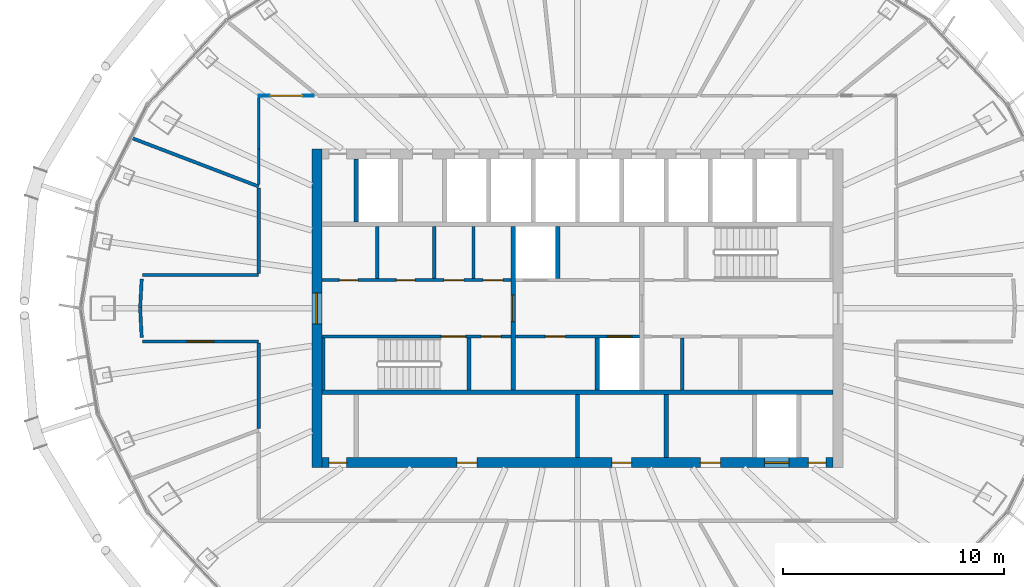
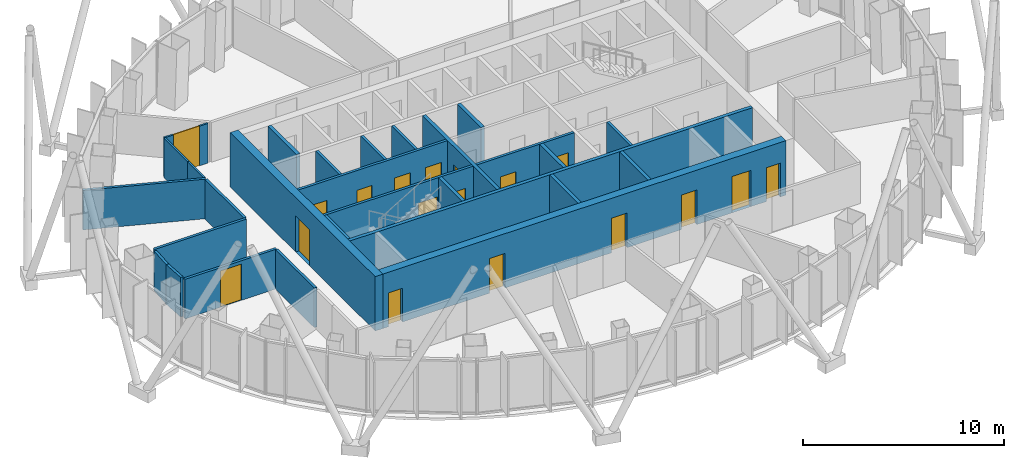
# One storey, part 9 of 18: 28 walls, 18 doors, 18 openings.
"""IFC4 building model written with IfcOpenShell, lengths in metres."""

import ifcopenshell
import ifcopenshell.guid

model = None  # the IFC model being written
_history = None  # IfcOwnerHistory: only IFC2X3 demands one
_inside = {}  # id of a spatial element -> (the spatial element, [elements in it])
_under = {}  # id of a project, library or spatial element -> (it, [spatial elements below it])
_declared = {}  # id of a project -> (the project, [libraries it declares])
_typed = {}  # id of a type object -> (the type object, [elements of that type])
_made_of = {}  # id of a material, layer set ... -> (it, [elements and type objects made of it])


def new_model(schema):
    """Start an empty IFC model of exactly this schema.

    Asked for "IFC4X3", IfcOpenShell would pick the latest addendum, in which some entities
    have other attributes; the version numbers below select the first issue.
    IFC2X3 requires an IfcOwnerHistory on every rooted entity: one is made here for all.
    """
    global model, _history
    if schema == "IFC4X3":
        model = ifcopenshell.file(schema_version=(4, 3, 0, 0))
    else:
        model = ifcopenshell.file(schema=schema)
    _inside.clear()
    _under.clear()
    _declared.clear()
    _typed.clear()
    _made_of.clear()
    _history = None
    if model.schema == "IFC2X3":
        org = make("IfcOrganization", Name="unknown")
        user = make(
            "IfcPersonAndOrganization",
            ThePerson=make("IfcPerson", FamilyName="unknown"),
            TheOrganization=org,
        )
        app = make(
            "IfcApplication",
            ApplicationDeveloper=org,
            Version="unknown",
            ApplicationFullName="unknown",
            ApplicationIdentifier="unknown",
        )
        _history = make(
            "IfcOwnerHistory",
            OwningUser=user,
            OwningApplication=app,
            ChangeAction="ADDED",
            CreationDate=0,
        )
    return model


def make(cls, **values):
    """One entity of the class cls with the attributes given. An attribute that is None is left unset."""
    return model.create_entity(
        cls, **{name: value for name, value in values.items() if value is not None}
    )


def rooted(cls, **values):
    """An entity with a GlobalId (a new one), such as an element, a storey or a relation."""
    return make(cls, GlobalId=ifcopenshell.guid.new(), OwnerHistory=_history, **values)


def si_unit(unit_type, name, prefix=None):
    """IfcSIUnit, for example si_unit("LENGTHUNIT", "METRE", prefix="MILLI")."""
    return make("IfcSIUnit", UnitType=unit_type, Prefix=prefix, Name=name)


def assignment(units):
    """IfcUnitAssignment: the units of a project."""
    return None if units is None else make("IfcUnitAssignment", Units=units)


def point(xyz):
    """IfcCartesianPoint."""
    return None if xyz is None else make("IfcCartesianPoint", Coordinates=xyz)


def direction(xyz):
    """IfcDirection."""
    return None if xyz is None else make("IfcDirection", DirectionRatios=xyz)


def frame(location, z_axis=None, x_axis=None):
    """IfcAxis2Placement3D, a coordinate frame: its origin and axes. An axis left out is left unset."""
    return make(
        "IfcAxis2Placement3D",
        Location=point(location),
        Axis=direction(z_axis),
        RefDirection=direction(x_axis),
    )


def frame_2d(location, x_axis=None):
    """IfcAxis2Placement2D, a coordinate frame in the plane: its origin and x axis."""
    return make(
        "IfcAxis2Placement2D", Location=point(location), RefDirection=direction(x_axis)
    )


def origin():
    """The frame at (0, 0, 0) with its axes left unset."""
    return frame((0.0, 0.0, 0.0))


def place(relative_to, where):
    """IfcLocalPlacement: puts the frame where relative to a parent placement (None: the world)."""
    return make(
        "IfcLocalPlacement", PlacementRelTo=relative_to, RelativePlacement=where
    )


def context(
    kind, dimensions, precision=None, world=None, true_north=None, identifier=None
):
    """IfcGeometricRepresentationContext, for example the 3D "Model" context."""
    return make(
        "IfcGeometricRepresentationContext",
        ContextIdentifier=identifier,
        ContextType=kind,
        CoordinateSpaceDimension=dimensions,
        Precision=precision,
        WorldCoordinateSystem=world,
        TrueNorth=true_north,
    )


def subcontext(parent, identifier, kind, view, scale=None):
    """IfcGeometricRepresentationSubContext, for example "Body" below "Model"."""
    return make(
        "IfcGeometricRepresentationSubContext",
        ContextIdentifier=identifier,
        ContextType=kind,
        ParentContext=parent,
        TargetScale=scale,
        TargetView=view,
    )


def project(units=None, contexts=None):
    """IfcProject with its units and contexts."""
    return rooted(
        "IfcProject",
        Name="project",
        RepresentationContexts=contexts,
        UnitsInContext=assignment(units),
    )


def spatial(cls, under=None, at=None, **own):
    """A site, building, storey or space (cls), placed at a placement, below another one or the project."""
    s = rooted(cls, ObjectPlacement=at, **own)
    if under is not None:
        _under.setdefault(under.id(), (under, []))[1].append(s)
    return s


def profile(cls, at=None, kind="AREA", **sizes):
    """A parametric profile (cls). Its sizes go by their IFC names, for example OverallWidth=200.0."""
    return make(cls, ProfileType=kind, Position=at, **sizes)


def rectangle(**sizes):
    """IfcRectangleProfileDef."""
    return profile("IfcRectangleProfileDef", **sizes)


def extrude(swept, where, along, depth):
    """IfcExtrudedAreaSolid: the profile swept, set in the frame where, extruded along a direction by depth."""
    return make(
        "IfcExtrudedAreaSolid",
        SweptArea=swept,
        Position=where,
        ExtrudedDirection=direction(along),
        Depth=depth,
    )


def shape(context_of_items, identifier, shape_type, items):
    """IfcShapeRepresentation: the items that make up one representation, for example the "Body"."""
    return make(
        "IfcShapeRepresentation",
        ContextOfItems=context_of_items,
        RepresentationIdentifier=identifier,
        RepresentationType=shape_type,
        Items=items,
    )


def material(Name=None, Category=None):
    """IfcMaterial."""
    return make("IfcMaterial", Name=Name, Category=Category)


def layer(
    of_material, thickness, ventilated=None, Name=None, Category=None, Priority=None
):
    """IfcMaterialLayer: one layer of a wall or slab, of a material (None: an air gap)."""
    return make(
        "IfcMaterialLayer",
        Material=of_material,
        LayerThickness=thickness,
        IsVentilated=ventilated,
        Name=Name,
        Category=Category,
        Priority=Priority,
    )


def layer_set(layers, Name=None):
    """IfcMaterialLayerSet."""
    return make("IfcMaterialLayerSet", MaterialLayers=layers, LayerSetName=Name)


def made_of(thing, what):
    """Note that an element or type object is made of a material, layer set ...; save() writes the relation."""
    if what is not None:
        _made_of.setdefault(what.id(), (what, []))[1].append(thing)
    return thing


def type_object(cls, material=None, **own):
    """A type object (cls), such as IfcWallType, which elements share."""
    return made_of(rooted(cls, **own), material)


def element(
    cls,
    number,
    at=None,
    inside=None,
    cuts=None,
    type_object=None,
    material=None,
    context=None,
    identifier="Body",
    shape_type=None,
    held_by="IfcProductDefinitionShape",
    body=None,
    shapes=None,
    **own,
):
    """One element of the class cls, such as IfcWall. Its Tag is "e" and its number.

    at: its placement. inside: the storey or other place that contains it. cuts: it is an
    opening in that element (IfcRelVoidsElement). A single representation is given by context,
    identifier, shape_type and body (its items); several are given by shapes. held_by: the class
    of the entity that holds the representations. save() writes the other relations.
    """
    e = rooted(cls, Tag="e%d" % number, ObjectPlacement=at, **own)
    if body is not None:
        shapes = [shape(context, identifier, shape_type, body)]
    if shapes is not None:
        e.Representation = make(held_by, Representations=shapes)
    if inside is not None:
        _inside.setdefault(inside.id(), (inside, []))[1].append(e)
    if cuts is not None:
        rooted(
            "IfcRelVoidsElement", RelatingBuildingElement=cuts, RelatedOpeningElement=e
        )
    if type_object is not None:
        _typed.setdefault(type_object.id(), (type_object, []))[1].append(e)
    return made_of(e, material)


def fill(opening, filler):
    """IfcRelFillsElement: the door or window that sits in an opening."""
    return rooted(
        "IfcRelFillsElement",
        RelatingOpeningElement=opening,
        RelatedBuildingElement=filler,
    )


def aggregate(whole, parts):
    """IfcRelAggregates: a whole, such as a stair, and the parts it consists of."""
    return rooted("IfcRelAggregates", RelatingObject=whole, RelatedObjects=parts)


def save(model, path):
    """Write the relations noted so far, then the file.

    IfcRelAggregates (storeys below a building ...), IfcRelContainedInSpatialStructure (elements
    in a storey), IfcRelDefinesByType, IfcRelAssociatesMaterial and IfcRelDeclares: one each for
    every whole, place, type object, material and project.
    """
    for whole, parts in _under.values():
        aggregate(whole, parts)
    for where, things in _inside.values():
        rooted(
            "IfcRelContainedInSpatialStructure",
            RelatedElements=things,
            RelatingStructure=where,
        )
    for kind, things in _typed.values():
        rooted("IfcRelDefinesByType", RelatedObjects=things, RelatingType=kind)
    for what, things in _made_of.values():
        rooted("IfcRelAssociatesMaterial", RelatedObjects=things, RelatingMaterial=what)
    for by, libraries in _declared.values():
        rooted("IfcRelDeclares", RelatingContext=by, RelatedDefinitions=libraries)
    model.write(path)


model = new_model("IFC4")

# Units and contexts
model_context = context("Model", 3, precision=1e-05, world=origin(), true_north=direction((0.0, 1.0)))
body_context = subcontext(model_context, "Body", "Model", "MODEL_VIEW")
ifc_project = project(units=[si_unit("LENGTHUNIT", "METRE"), si_unit("AREAUNIT", "SQUARE_METRE"), si_unit("VOLUMEUNIT", "CUBIC_METRE"), si_unit("PLANEANGLEUNIT", "RADIAN"), si_unit("MASSUNIT", "GRAM", prefix="KILO")], contexts=[model_context])

# Site, building, storey
site_placement = place(None, origin())
site = spatial("IfcSite", under=ifc_project, at=site_placement, CompositionType="ELEMENT")
building_placement = place(site_placement, origin())
building = spatial("IfcBuilding", under=site, at=building_placement, Name="Siaravel Broadcast Tower", CompositionType="ELEMENT")
storey_placement = place(building_placement, frame((0.0, 0.0, 201.5)))
storey = spatial("IfcBuildingStorey", under=building, at=storey_placement, Name="L49", CompositionType="ELEMENT", Elevation=201.5)

# Walls
ifc_material_1 = material(Name="Concrete blockwork", Category="masonry")
ifc_layer_1 = layer(ifc_material_1, 0.14990234375)
ifc_layer_set_1 = layer_set([ifc_layer_1], Name="Concrete blockwork")
wall_type_1 = type_object("IfcWallType", Name="Core partition 150", PredefinedType="PARTITIONING", material=ifc_layer_set_1)
for number, where, z_axis, x_axis, name in (
    (1, (-9.044921875, 1.35009765625, 0.0), (0.0, 0.0, 1.0), (0.0, 1.0, 0.0), "L49 core partition PNW0"),
    (2, (-6.465087890625, 1.35009765625, 0.0), (0.0, 0.0, 1.0), (0.0, 1.0, 0.0), "L49 core partition PNW1"),
    (3, (-4.695068359375, 1.35009765625, 0.0), (0.0, 0.0, 1.0), (0.0, 1.0, 0.0), "L49 core partition PNW2"),
    (4, (4.72509765625, -3.699951171875, 0.0), (0.0, 0.0, 1.0), (0.0, 1.0, 0.0), "L49 core partition PSE0"),
):
    element("IfcWall", number, at=place(storey_placement, frame(where, z_axis=z_axis, x_axis=x_axis)), inside=storey, type_object=wall_type_1, Name=name, PredefinedType="PARTITIONING", context=body_context, shape_type="SweptSolid", body=[
        extrude(rectangle(XDim=2.349853515625, YDim=0.14990234375, at=frame_2d((1.1748046875, 0.0))), origin(), (0.0, 0.0, 1.0), 3.300048828125),
    ])
ifc_layer_2 = layer(ifc_material_1, 0.199951171875)
ifc_layer_set_2 = layer_set([ifc_layer_2], Name="Concrete blockwork")
wall_type_2 = type_object("IfcWallType", Name="Core partition 200", PredefinedType="PARTITIONING", material=ifc_layer_set_2)
for number, where, z_axis, x_axis, name in (
    (5, (0.0, -6.75, 0.0), (0.0, 0.0, 1.0), (0.0, 1.0, 0.0), "L49 core partition PFS0"),
    (6, (4.0, -6.75, 0.0), (0.0, 0.0, 1.0), (0.0, 1.0, 0.0), "L49 core partition PFS5"),
):
    element("IfcWall", number, at=place(storey_placement, frame(where, z_axis=z_axis, x_axis=x_axis)), inside=storey, type_object=wall_type_2, Name=name, PredefinedType="PARTITIONING", context=body_context, shape_type="SweptSolid", body=[
        extrude(rectangle(XDim=2.85009765625, YDim=0.199951171875, at=frame_2d((1.425048828125, 0.0))), origin(), (0.0, 0.0, 1.0), 3.300048828125),
    ])

# Wall, opening, door
ifc_material_2 = material(Name="Concrete C60/75", Category="concrete")
ifc_layer_3 = layer(ifc_material_2, 0.449951171875)
ifc_layer_set_3 = layer_set([ifc_layer_3], Name="Concrete C60/75")
wall_type_3 = type_object("IfcWallType", Name="Core wall 450", PredefinedType="SHEAR", material=ifc_layer_set_3)
wall_1_placement = place(storey_placement, frame((-11.77490234375, -7.199951171875, 0.0), z_axis=(0.0, 0.0, 1.0), x_axis=(0.0, 1.0, 0.0)))
wall_1 = element("IfcWall", 7, at=wall_1_placement, inside=storey, type_object=wall_type_3, Name="L49 core wall OW", PredefinedType="SHEAR", context=body_context, shape_type="SweptSolid", body=[
    extrude(rectangle(XDim=14.39990234375, YDim=0.449951171875, at=frame_2d((7.199951171875, 0.0))), origin(), (0.0, 0.0, 1.0), 3.300048828125),
])
opening_1_placement = place(wall_1_placement, frame((6.5, 0.0, 0.0)))
opening_1 = element("IfcOpeningElement", 8, at=opening_1_placement, cuts=wall_1, Name="Opening L49-DX-W", PredefinedType="OPENING", context=body_context, shape_type="SweptSolid", body=[
    extrude(rectangle(XDim=1.39990234375, YDim=2.199951171875, at=frame_2d((0.699951171875, 1.10009765625))), frame((0.0, 0.23486328125, 0.0), z_axis=(0.0, -1.0, 0.0), x_axis=(1.0, 0.0, 0.0)), (0.0, 0.0, 1.0), 0.469970703125),
])
ifc_material_3 = material(Name="Steel", Category="steel")
door_type_1 = type_object("IfcDoorType", Name="Core exit door 1400", OperationType="DOUBLE_DOOR_SINGLE_SWING", PredefinedType="DOOR", material=ifc_material_3)
door_1_placement = place(opening_1_placement, origin())
door_1 = element("IfcDoor", 9, at=door_1_placement, inside=storey, type_object=door_type_1, Name="L49 door DX-W", OperationType="DOUBLE_DOOR_SINGLE_SWING", OverallHeight=2.199951171875, OverallWidth=1.39990234375, PredefinedType="DOOR", context=body_context, shape_type="SweptSolid", body=[
    extrude(rectangle(XDim=1.39990234375, YDim=2.199951171875, at=frame_2d((0.699951171875, 1.10009765625))), frame((0.0, 0.02490234375, 0.0), z_axis=(0.0, -1.0, 0.0), x_axis=(1.0, 0.0, 0.0)), (0.0, 0.0, 1.0), 0.050048828125),
])
fill(opening_1, door_1)

# Wall, openings, doors
wall_2_placement = place(storey_placement, frame((-11.550048828125, -6.97509765625, 0.0), z_axis=(0.0, 0.0, 1.0), x_axis=(1.0, 0.0, 0.0)))
wall_2 = element("IfcWall", 10, at=wall_2_placement, inside=storey, type_object=wall_type_3, Name="L49 core wall OS", PredefinedType="SHEAR", context=body_context, shape_type="SweptSolid", body=[
    extrude(rectangle(XDim=23.10009765625, YDim=0.449951171875, at=frame_2d((11.550048828125, 0.0))), origin(), (0.0, 0.0, 1.0), 3.300048828125),
])
opening_2_placement = place(wall_2_placement, frame((20.0, 0.0, 0.0)))
opening_2 = element("IfcOpeningElement", 11, at=opening_2_placement, cuts=wall_2, Name="Opening LD-SV1-L49", PredefinedType="OPENING", context=body_context, shape_type="SweptSolid", body=[
    extrude(rectangle(XDim=1.10009765625, YDim=2.199951171875, at=frame_2d((0.550048828125, 1.10009765625))), frame((0.0, 0.23486328125, 0.0), z_axis=(0.0, -1.0, 0.0), x_axis=(1.0, 0.0, 0.0)), (0.0, 0.0, 1.0), 0.469970703125),
])
opening_3_placement = place(wall_2_placement, frame((6.10009765625, 0.0, 0.0)))
opening_3 = element("IfcOpeningElement", 12, at=opening_3_placement, cuts=wall_2, Name="Opening L49-DFS0", PredefinedType="OPENING", context=body_context, shape_type="SweptSolid", body=[
    extrude(rectangle(XDim=0.89990234375, YDim=2.10009765625, at=frame_2d((0.449951171875, 1.050048828125))), frame((0.0, 0.23486328125, 0.0), z_axis=(0.0, -1.0, 0.0), x_axis=(1.0, 0.0, 0.0)), (0.0, 0.0, 1.0), 0.469970703125),
])
opening_4_placement = place(wall_2_placement, frame((13.10009765625, 0.0, 0.0)))
opening_4 = element("IfcOpeningElement", 13, at=opening_4_placement, cuts=wall_2, Name="Opening L49-DFS5", PredefinedType="OPENING", context=body_context, shape_type="SweptSolid", body=[
    extrude(rectangle(XDim=0.89990234375, YDim=2.10009765625, at=frame_2d((0.449951171875, 1.050048828125))), frame((0.0, 0.23486328125, 0.0), z_axis=(0.0, -1.0, 0.0), x_axis=(1.0, 0.0, 0.0)), (0.0, 0.0, 1.0), 0.469970703125),
])
opening_5_placement = place(wall_2_placement, frame((17.10009765625, 0.0, 0.0)))
opening_5 = element("IfcOpeningElement", 14, at=opening_5_placement, cuts=wall_2, Name="Opening L49-DFS7", PredefinedType="OPENING", context=body_context, shape_type="SweptSolid", body=[
    extrude(rectangle(XDim=0.89990234375, YDim=2.10009765625, at=frame_2d((0.449951171875, 1.050048828125))), frame((0.0, 0.23486328125, 0.0), z_axis=(0.0, -1.0, 0.0), x_axis=(1.0, 0.0, 0.0)), (0.0, 0.0, 1.0), 0.469970703125),
])
opening_6_placement = place(wall_2_placement, frame((0.324951171875, 0.0, 0.0)))
opening_6 = element("IfcOpeningElement", 15, at=opening_6_placement, cuts=wall_2, Name="Opening L49-DRSW", PredefinedType="OPENING", context=body_context, shape_type="SweptSolid", body=[
    extrude(rectangle(XDim=0.800048828125, YDim=2.050048828125, at=frame_2d((0.39990234375, 1.02490234375))), frame((0.0, 0.23486328125, 0.0), z_axis=(0.0, -1.0, 0.0), x_axis=(1.0, 0.0, 0.0)), (0.0, 0.0, 1.0), 0.469970703125),
])
opening_7_placement = place(wall_2_placement, frame((21.97509765625, 0.0, 0.0)))
opening_7 = element("IfcOpeningElement", 16, at=opening_7_placement, cuts=wall_2, Name="Opening L49-DRSE", PredefinedType="OPENING", context=body_context, shape_type="SweptSolid", body=[
    extrude(rectangle(XDim=0.800048828125, YDim=2.050048828125, at=frame_2d((0.39990234375, 1.02490234375))), frame((0.0, 0.23486328125, 0.0), z_axis=(0.0, -1.0, 0.0), x_axis=(1.0, 0.0, 0.0)), (0.0, 0.0, 1.0), 0.469970703125),
])
ifc_material_4 = material(Name="Timber veneer", Category="wood")
door_type_2 = type_object("IfcDoorType", Name="Core room door 900", OperationType="SINGLE_SWING_LEFT", PredefinedType="DOOR", material=ifc_material_4)
door_2_placement = place(opening_3_placement, origin())
door_2 = element("IfcDoor", 17, at=door_2_placement, inside=storey, type_object=door_type_2, Name="L49 door DFS0", OperationType="SINGLE_SWING_LEFT", OverallHeight=2.10009765625, OverallWidth=0.89990234375, PredefinedType="DOOR", context=body_context, shape_type="SweptSolid", body=[
    extrude(rectangle(XDim=0.89990234375, YDim=2.10009765625, at=frame_2d((0.449951171875, 1.050048828125))), frame((0.0, 0.02490234375, 0.0), z_axis=(0.0, -1.0, 0.0), x_axis=(1.0, 0.0, 0.0)), (0.0, 0.0, 1.0), 0.050048828125),
])
fill(opening_3, door_2)
door_3_placement = place(opening_4_placement, origin())
door_3 = element("IfcDoor", 18, at=door_3_placement, inside=storey, type_object=door_type_2, Name="L49 door DFS5", OperationType="SINGLE_SWING_LEFT", OverallHeight=2.10009765625, OverallWidth=0.89990234375, PredefinedType="DOOR", context=body_context, shape_type="SweptSolid", body=[
    extrude(rectangle(XDim=0.89990234375, YDim=2.10009765625, at=frame_2d((0.449951171875, 1.050048828125))), frame((0.0, 0.02490234375, 0.0), z_axis=(0.0, -1.0, 0.0), x_axis=(1.0, 0.0, 0.0)), (0.0, 0.0, 1.0), 0.050048828125),
])
fill(opening_4, door_3)
door_4_placement = place(opening_5_placement, origin())
door_4 = element("IfcDoor", 19, at=door_4_placement, inside=storey, type_object=door_type_2, Name="L49 door DFS7", OperationType="SINGLE_SWING_LEFT", OverallHeight=2.10009765625, OverallWidth=0.89990234375, PredefinedType="DOOR", context=body_context, shape_type="SweptSolid", body=[
    extrude(rectangle(XDim=0.89990234375, YDim=2.10009765625, at=frame_2d((0.449951171875, 1.050048828125))), frame((0.0, 0.02490234375, 0.0), z_axis=(0.0, -1.0, 0.0), x_axis=(1.0, 0.0, 0.0)), (0.0, 0.0, 1.0), 0.050048828125),
])
fill(opening_5, door_4)
door_type_3 = type_object("IfcDoorType", Name="Riser door 800", OperationType="SINGLE_SWING_LEFT", PredefinedType="DOOR", material=ifc_material_3)
door_5_placement = place(opening_6_placement, origin())
door_5 = element("IfcDoor", 20, at=door_5_placement, inside=storey, type_object=door_type_3, Name="L49 door DRSW", OperationType="SINGLE_SWING_LEFT", OverallHeight=2.050048828125, OverallWidth=0.800048828125, PredefinedType="DOOR", context=body_context, shape_type="SweptSolid", body=[
    extrude(rectangle(XDim=0.800048828125, YDim=2.050048828125, at=frame_2d((0.39990234375, 1.02490234375))), frame((0.0, 0.02490234375, 0.0), z_axis=(0.0, -1.0, 0.0), x_axis=(1.0, 0.0, 0.0)), (0.0, 0.0, 1.0), 0.050048828125),
])
fill(opening_6, door_5)
door_6_placement = place(opening_7_placement, origin())
door_6 = element("IfcDoor", 21, at=door_6_placement, inside=storey, type_object=door_type_3, Name="L49 door DRSE", OperationType="SINGLE_SWING_LEFT", OverallHeight=2.050048828125, OverallWidth=0.800048828125, PredefinedType="DOOR", context=body_context, shape_type="SweptSolid", body=[
    extrude(rectangle(XDim=0.800048828125, YDim=2.050048828125, at=frame_2d((0.39990234375, 1.02490234375))), frame((0.0, 0.02490234375, 0.0), z_axis=(0.0, -1.0, 0.0), x_axis=(1.0, 0.0, 0.0)), (0.0, 0.0, 1.0), 0.050048828125),
])
fill(opening_7, door_6)
ifc_material_5 = material(Name="Stainless steel 316L", Category="steel")
door_type_4 = type_object("IfcDoorType", Name="Service lift landing door 1100", OperationType="DOUBLE_DOOR_SLIDING", PredefinedType="DOOR", material=ifc_material_5)
door_7_placement = place(opening_2_placement, origin())
door_7 = element("IfcDoor", 22, at=door_7_placement, inside=storey, type_object=door_type_4, Name="Landing door SV1 L49", OperationType="DOUBLE_DOOR_SLIDING", OverallHeight=2.199951171875, OverallWidth=1.10009765625, PredefinedType="DOOR", context=body_context, shape_type="SweptSolid", body=[
    extrude(rectangle(XDim=1.10009765625, YDim=2.199951171875, at=frame_2d((0.550048828125, 1.10009765625))), frame((0.0, 0.02490234375, 0.0), z_axis=(0.0, -1.0, 0.0), x_axis=(1.0, 0.0, 0.0)), (0.0, 0.0, 1.0), 0.050048828125),
])
fill(opening_2, door_7)

ifc_material_6 = material(Name="Gypsum board partition", Category="gypsum")
ifc_layer_4 = layer(ifc_material_6, 0.14990234375)
ifc_layer_set_4 = layer_set([ifc_layer_4], Name="Gypsum board partition")
wall_type_4 = type_object("IfcWallType", Name="Corridor wall 150", PredefinedType="PARTITIONING", material=ifc_layer_set_4)
wall_3_placement = place(storey_placement, frame((-11.550048828125, 1.27490234375, 0.0), z_axis=(0.0, 0.0, 1.0), x_axis=(1.0, 0.0, 0.0)))
wall_3 = element("IfcWall", 23, at=wall_3_placement, inside=storey, type_object=wall_type_4, Name="L49 core partition CNW", PredefinedType="PARTITIONING", context=body_context, shape_type="SweptSolid", body=[
    extrude(rectangle(XDim=8.550048828125, YDim=0.14990234375, at=frame_2d((4.27490234375, 0.0))), origin(), (0.0, 0.0, 1.0), 3.300048828125),
])
opening_8_placement = place(wall_3_placement, frame((0.7900390625, 0.0, 0.0)))
opening_8 = element("IfcOpeningElement", 24, at=opening_8_placement, cuts=wall_3, Name="Opening L49-DNW0", PredefinedType="OPENING", context=body_context, shape_type="SweptSolid", body=[
    extrude(rectangle(XDim=0.85009765625, YDim=2.10009765625, at=frame_2d((0.425048828125, 1.050048828125))), frame((0.0, 0.0849609375, 0.0), z_axis=(0.0, -1.0, 0.0), x_axis=(1.0, 0.0, 0.0)), (0.0, 0.0, 1.0), 0.169921875),
])
opening_9_placement = place(wall_3_placement, frame((3.3701171875, 0.0, 0.0)))
opening_9 = element("IfcOpeningElement", 25, at=opening_9_placement, cuts=wall_3, Name="Opening L49-DNW1", PredefinedType="OPENING", context=body_context, shape_type="SweptSolid", body=[
    extrude(rectangle(XDim=0.85009765625, YDim=2.10009765625, at=frame_2d((0.425048828125, 1.050048828125))), frame((0.0, 0.0849609375, 0.0), z_axis=(0.0, -1.0, 0.0), x_axis=(1.0, 0.0, 0.0)), (0.0, 0.0, 1.0), 0.169921875),
])
opening_10_placement = place(wall_3_placement, frame((5.52001953125, 0.0, 0.0)))
opening_10 = element("IfcOpeningElement", 26, at=opening_10_placement, cuts=wall_3, Name="Opening L49-DNW2", PredefinedType="OPENING", context=body_context, shape_type="SweptSolid", body=[
    extrude(rectangle(XDim=0.89990234375, YDim=2.10009765625, at=frame_2d((0.449951171875, 1.050048828125))), frame((0.0, 0.0849609375, 0.0), z_axis=(0.0, -1.0, 0.0), x_axis=(1.0, 0.0, 0.0)), (0.0, 0.0, 1.0), 0.169921875),
])
opening_11_placement = place(wall_3_placement, frame((7.2900390625, 0.0, 0.0)))
opening_11 = element("IfcOpeningElement", 27, at=opening_11_placement, cuts=wall_3, Name="Opening L49-DNW3", PredefinedType="OPENING", context=body_context, shape_type="SweptSolid", body=[
    extrude(rectangle(XDim=0.89990234375, YDim=2.10009765625, at=frame_2d((0.449951171875, 1.050048828125))), frame((0.0, 0.0849609375, 0.0), z_axis=(0.0, -1.0, 0.0), x_axis=(1.0, 0.0, 0.0)), (0.0, 0.0, 1.0), 0.169921875),
])
door_8_placement = place(opening_10_placement, origin())
door_8 = element("IfcDoor", 28, at=door_8_placement, inside=storey, type_object=door_type_2, Name="L49 door DNW2", OperationType="SINGLE_SWING_LEFT", OverallHeight=2.10009765625, OverallWidth=0.89990234375, PredefinedType="DOOR", context=body_context, shape_type="SweptSolid", body=[
    extrude(rectangle(XDim=0.89990234375, YDim=2.10009765625, at=frame_2d((0.449951171875, 1.050048828125))), frame((0.0, 0.02490234375, 0.0), z_axis=(0.0, -1.0, 0.0), x_axis=(1.0, 0.0, 0.0)), (0.0, 0.0, 1.0), 0.050048828125),
])
fill(opening_10, door_8)
door_9_placement = place(opening_11_placement, origin())
door_9 = element("IfcDoor", 29, at=door_9_placement, inside=storey, type_object=door_type_2, Name="L49 door DNW3", OperationType="SINGLE_SWING_LEFT", OverallHeight=2.10009765625, OverallWidth=0.89990234375, PredefinedType="DOOR", context=body_context, shape_type="SweptSolid", body=[
    extrude(rectangle(XDim=0.89990234375, YDim=2.10009765625, at=frame_2d((0.449951171875, 1.050048828125))), frame((0.0, 0.02490234375, 0.0), z_axis=(0.0, -1.0, 0.0), x_axis=(1.0, 0.0, 0.0)), (0.0, 0.0, 1.0), 0.050048828125),
])
fill(opening_11, door_9)
door_type_5 = type_object("IfcDoorType", Name="Core toilet door 850", OperationType="SINGLE_SWING_LEFT", PredefinedType="DOOR", material=ifc_material_4)
door_10_placement = place(opening_8_placement, origin())
door_10 = element("IfcDoor", 30, at=door_10_placement, inside=storey, type_object=door_type_5, Name="L49 door DNW0", OperationType="SINGLE_SWING_LEFT", OverallHeight=2.10009765625, OverallWidth=0.85009765625, PredefinedType="DOOR", context=body_context, shape_type="SweptSolid", body=[
    extrude(rectangle(XDim=0.85009765625, YDim=2.10009765625, at=frame_2d((0.425048828125, 1.050048828125))), frame((0.0, 0.02490234375, 0.0), z_axis=(0.0, -1.0, 0.0), x_axis=(1.0, 0.0, 0.0)), (0.0, 0.0, 1.0), 0.050048828125),
])
fill(opening_8, door_10)
door_11_placement = place(opening_9_placement, origin())
door_11 = element("IfcDoor", 31, at=door_11_placement, inside=storey, type_object=door_type_5, Name="L49 door DNW1", OperationType="SINGLE_SWING_LEFT", OverallHeight=2.10009765625, OverallWidth=0.85009765625, PredefinedType="DOOR", context=body_context, shape_type="SweptSolid", body=[
    extrude(rectangle(XDim=0.85009765625, YDim=2.10009765625, at=frame_2d((0.425048828125, 1.050048828125))), frame((0.0, 0.02490234375, 0.0), z_axis=(0.0, -1.0, 0.0), x_axis=(1.0, 0.0, 0.0)), (0.0, 0.0, 1.0), 0.050048828125),
])
fill(opening_9, door_11)

# Wall, opening, door
wall_4_placement = place(storey_placement, frame((-19.653076171875, -1.5, 0.0), z_axis=(0.0, 0.0, 1.0), x_axis=(1.0, 0.0, 0.0)))
wall_4 = element("IfcWall", 32, at=wall_4_placement, inside=storey, type_object=wall_type_4, Name="L49 partition 16", PredefinedType="PARTITIONING", context=body_context, shape_type="SweptSolid", body=[
    extrude(rectangle(XDim=5.253173828125, YDim=0.14990234375, at=frame_2d((2.62646484375, 0.0))), origin(), (0.0, 0.0, 1.0), 2.39990234375),
])
opening_12_placement = place(wall_4_placement, frame((2.026611328125, 0.0, 0.0)))
opening_12 = element("IfcOpeningElement", 33, at=opening_12_placement, cuts=wall_4, Name="Opening L49-003", PredefinedType="OPENING", context=body_context, shape_type="SweptSolid", body=[
    extrude(rectangle(XDim=1.199951171875, YDim=2.199951171875, at=frame_2d((0.60009765625, 1.10009765625))), frame((0.0, 0.0849609375, 0.0), z_axis=(0.0, -1.0, 0.0), x_axis=(1.0, 0.0, 0.0)), (0.0, 0.0, 1.0), 0.169921875),
])
door_type_6 = type_object("IfcDoorType", Name="Office double door 1200", OperationType="DOUBLE_DOOR_SINGLE_SWING", PredefinedType="DOOR", material=ifc_material_4)
door_12_placement = place(opening_12_placement, origin())
door_12 = element("IfcDoor", 34, at=door_12_placement, inside=storey, type_object=door_type_6, Name="L49 door to Open plan office", OperationType="DOUBLE_DOOR_SINGLE_SWING", OverallHeight=2.199951171875, OverallWidth=1.199951171875, PredefinedType="DOOR", context=body_context, shape_type="SweptSolid", body=[
    extrude(rectangle(XDim=1.199951171875, YDim=2.199951171875, at=frame_2d((0.60009765625, 1.10009765625))), frame((0.0, 0.02490234375, 0.0), z_axis=(0.0, -1.0, 0.0), x_axis=(1.0, 0.0, 0.0)), (0.0, 0.0, 1.0), 0.050048828125),
])
fill(opening_12, door_12)

# Walls
wall_5_placement = place(storey_placement, frame((-14.39990234375, 1.5, 0.0), z_axis=(0.0, 0.0, 1.0), x_axis=(-1.0, 0.0, 0.0)))
element("IfcWall", 35, at=wall_5_placement, inside=storey, type_object=wall_type_4, Name="L49 partition 17", PredefinedType="PARTITIONING", context=body_context, shape_type="SweptSolid", body=[
    extrude(rectangle(XDim=5.253173828125, YDim=0.14990234375, at=frame_2d((2.62646484375, 0.0))), origin(), (0.0, 0.0, 1.0), 2.39990234375),
])
for number, where, z_axis, x_axis, name in (
    (36, (-14.39990234375, -1.576904296875, 0.0), (0.0, 0.0, 1.0), (0.0, -1.0, 0.0), "L49 partition 25"),
    (37, (-14.39990234375, 5.42822265625, 0.0), (0.0, 0.0, 1.0), (0.0, -1.0, 0.0), "L49 partition 26"),
):
    element("IfcWall", number, at=place(storey_placement, frame(where, z_axis=z_axis, x_axis=x_axis)), inside=storey, type_object=wall_type_4, Name=name, PredefinedType="PARTITIONING", context=body_context, shape_type="SweptSolid", body=[
        extrude(rectangle(XDim=3.851318359375, YDim=0.14990234375, at=frame_2d((1.92578125, 0.0))), origin(), (0.0, 0.0, 1.0), 2.39990234375),
    ])
wall_6_placement = place(storey_placement, frame((-19.75244140625, 0.0, 0.0), z_axis=(0.0, 0.0, 1.0), x_axis=(0.053228156, -0.998582377, 0.0)))
element("IfcWall", 38, at=wall_6_placement, inside=storey, type_object=wall_type_4, Name="L49 partition 39", PredefinedType="PARTITIONING", context=body_context, shape_type="SweptSolid", body=[
    extrude(rectangle(XDim=1.321044921875, YDim=0.14990234375, at=frame_2d((0.66064453125, 0.0))), origin(), (0.0, 0.0, 1.0), 2.39990234375),
])
wall_7_placement = place(storey_placement, frame((-19.68212890625, 1.319091796875, 0.0), z_axis=(0.0, 0.0, 1.0), x_axis=(-0.053262595, -0.998580541, 0.0)))
element("IfcWall", 39, at=wall_7_placement, inside=storey, type_object=wall_type_4, Name="L49 partition 40", PredefinedType="PARTITIONING", context=body_context, shape_type="SweptSolid", body=[
    extrude(rectangle(XDim=1.31103515625, YDim=0.14990234375, at=frame_2d((0.655517578125, 0.0))), origin(), (0.0, 0.0, 1.0), 2.39990234375),
])

# Wall, opening, door
ifc_material_7 = material(Name="Glazed aluminium partition", Category="aluminium")
ifc_layer_5 = layer(ifc_material_7, 0.10009765625)
ifc_layer_set_5 = layer_set([ifc_layer_5], Name="Glazed aluminium partition")
wall_type_5 = type_object("IfcWallType", Name="Glazed meeting room partition 100", PredefinedType="PARTITIONING", material=ifc_layer_set_5)
wall_8_placement = place(storey_placement, frame((-11.9013671875, 9.60009765625, 0.0), z_axis=(0.0, 0.0, 1.0), x_axis=(-1.0, 0.0, 0.0)))
wall_8 = element("IfcWall", 40, at=wall_8_placement, inside=storey, type_object=wall_type_5, Name="L49 partition 28", PredefinedType="PARTITIONING", context=body_context, shape_type="SweptSolid", body=[
    extrude(rectangle(XDim=2.49853515625, YDim=0.10009765625, at=frame_2d((1.249267578125, 0.0))), origin(), (0.0, 0.0, 1.0), 2.39990234375),
])
opening_13_placement = place(wall_8_placement, frame((0.499267578125, 0.0, 0.0)))
opening_13 = element("IfcOpeningElement", 41, at=opening_13_placement, cuts=wall_8, Name="Opening L49-002", PredefinedType="OPENING", context=body_context, shape_type="SweptSolid", body=[
    extrude(rectangle(XDim=1.5, YDim=2.39990234375, at=frame_2d((0.75, 1.199951171875))), frame((0.0, 0.06005859375, 0.0), z_axis=(0.0, -1.0, 0.0), x_axis=(1.0, 0.0, 0.0)), (0.0, 0.0, 1.0), 0.1201171875),
])
door_type_7 = type_object("IfcDoorType", Name="Conference double door 1500", OperationType="DOUBLE_DOOR_SINGLE_SWING", PredefinedType="DOOR", material=ifc_material_4)
door_13_placement = place(opening_13_placement, origin())
door_13 = element("IfcDoor", 42, at=door_13_placement, inside=storey, type_object=door_type_7, Name="L49 door to Training room", OperationType="DOUBLE_DOOR_SINGLE_SWING", OverallHeight=2.39990234375, OverallWidth=1.5, PredefinedType="DOOR", context=body_context, shape_type="SweptSolid", body=[
    extrude(rectangle(XDim=1.5, YDim=2.39990234375, at=frame_2d((0.75, 1.199951171875))), frame((0.0, 0.02490234375, 0.0), z_axis=(0.0, -1.0, 0.0), x_axis=(1.0, 0.0, 0.0)), (0.0, 0.0, 1.0), 0.050048828125),
])
fill(opening_13, door_13)

# Walls
wall_9_placement = place(storey_placement, frame((-14.39990234375, 9.548095703125, 0.0), z_axis=(0.0, 0.0, 1.0), x_axis=(0.0, -1.0, 0.0)))
element("IfcWall", 43, at=wall_9_placement, inside=storey, type_object=wall_type_5, Name="L49 partition 31", PredefinedType="PARTITIONING", context=body_context, shape_type="SweptSolid", body=[
    extrude(rectangle(XDim=2.360107421875, YDim=0.10009765625, at=frame_2d((1.18017578125, 0.0))), origin(), (0.0, 0.0, 1.0), 2.39990234375),
])
wall_10_placement = place(storey_placement, frame((-14.39990234375, 7.18701171875, 0.0), z_axis=(0.0, 0.0, 1.0), x_axis=(0.0, -1.0, 0.0)))
element("IfcWall", 44, at=wall_10_placement, inside=storey, type_object=wall_type_5, Name="L49 partition 36", PredefinedType="PARTITIONING", context=body_context, shape_type="SweptSolid", body=[
    extrude(rectangle(XDim=1.58544921875, YDim=0.10009765625, at=frame_2d((0.792724609375, 0.0))), origin(), (0.0, 0.0, 1.0), 2.39990234375),
])
ifc_layer_6 = layer(ifc_material_6, 0.14990234375)
ifc_layer_set_6 = layer_set([ifc_layer_6], Name="Gypsum board partition")
wall_type_6 = type_object("IfcWallType", Name="Room partition 150", PredefinedType="PARTITIONING", material=ifc_layer_set_6)
wall_11_placement = place(storey_placement, frame((-20.1669921875, 7.702880859375, 0.0), z_axis=(0.0, 0.0, 1.0), x_axis=(0.934182919, -0.356794441, 0.0)))
element("IfcWall", 45, at=wall_11_placement, inside=storey, type_object=wall_type_6, Name="L49 partition 13", PredefinedType="PARTITIONING", context=body_context, shape_type="SweptSolid", body=[
    extrude(rectangle(XDim=6.17333984375, YDim=0.14990234375, at=frame_2d((3.086669921875, 0.0))), origin(), (0.0, 0.0, 1.0), 2.39990234375),
])

# Wall, openings, doors
ifc_layer_7 = layer(ifc_material_2, 0.14990234375)
ifc_layer_set_7 = layer_set([ifc_layer_7], Name="Concrete C60/75")
wall_type_7 = type_object("IfcWallType", Name="Shaft wall 150", PredefinedType="SHEAR", material=ifc_layer_set_7)
wall_12_placement = place(storey_placement, frame((-11.550048828125, -1.27490234375, 0.0), z_axis=(0.0, 0.0, 1.0), x_axis=(1.0, 0.0, 0.0)))
wall_12 = element("IfcWall", 46, at=wall_12_placement, inside=storey, type_object=wall_type_7, Name="L49 core wall CSW", PredefinedType="SHEAR", context=body_context, shape_type="SweptSolid", body=[
    extrude(rectangle(XDim=8.550048828125, YDim=0.14990234375, at=frame_2d((4.27490234375, 0.0))), origin(), (0.0, 0.0, 1.0), 3.300048828125),
])
opening_14_placement = place(wall_12_placement, frame((5.39990234375, 0.0, 0.0)))
opening_14 = element("IfcOpeningElement", 47, at=opening_14_placement, cuts=wall_12, Name="Opening L49-DS-1", PredefinedType="OPENING", context=body_context, shape_type="SweptSolid", body=[
    extrude(rectangle(XDim=1.10009765625, YDim=2.14990234375, at=frame_2d((0.550048828125, 1.074951171875))), frame((0.0, 0.0849609375, 0.0), z_axis=(0.0, -1.0, 0.0), x_axis=(1.0, 0.0, 0.0)), (0.0, 0.0, 1.0), 0.169921875),
])
opening_15_placement = place(wall_12_placement, frame((7.199951171875, 0.0, 0.0)))
opening_15 = element("IfcOpeningElement", 48, at=opening_15_placement, cuts=wall_12, Name="Opening L49-DSW0", PredefinedType="OPENING", context=body_context, shape_type="SweptSolid", body=[
    extrude(rectangle(XDim=0.89990234375, YDim=2.10009765625, at=frame_2d((0.449951171875, 1.050048828125))), frame((0.0, 0.0849609375, 0.0), z_axis=(0.0, -1.0, 0.0), x_axis=(1.0, 0.0, 0.0)), (0.0, 0.0, 1.0), 0.169921875),
])
door_14_placement = place(opening_15_placement, origin())
door_14 = element("IfcDoor", 49, at=door_14_placement, inside=storey, type_object=door_type_2, Name="L49 door DSW0", OperationType="SINGLE_SWING_LEFT", OverallHeight=2.10009765625, OverallWidth=0.89990234375, PredefinedType="DOOR", context=body_context, shape_type="SweptSolid", body=[
    extrude(rectangle(XDim=0.89990234375, YDim=2.10009765625, at=frame_2d((0.449951171875, 1.050048828125))), frame((0.0, 0.02490234375, 0.0), z_axis=(0.0, -1.0, 0.0), x_axis=(1.0, 0.0, 0.0)), (0.0, 0.0, 1.0), 0.050048828125),
])
fill(opening_15, door_14)
door_type_8 = type_object("IfcDoorType", Name="Stair door 1100", OperationType="SINGLE_SWING_LEFT", PredefinedType="DOOR", material=ifc_material_3)
door_15_placement = place(opening_14_placement, origin())
door_15 = element("IfcDoor", 50, at=door_15_placement, inside=storey, type_object=door_type_8, Name="L49 door DS-1", OperationType="SINGLE_SWING_LEFT", OverallHeight=2.14990234375, OverallWidth=1.10009765625, PredefinedType="DOOR", context=body_context, shape_type="SweptSolid", body=[
    extrude(rectangle(XDim=1.10009765625, YDim=2.14990234375, at=frame_2d((0.550048828125, 1.074951171875))), frame((0.0, 0.02490234375, 0.0), z_axis=(0.0, -1.0, 0.0), x_axis=(1.0, 0.0, 0.0)), (0.0, 0.0, 1.0), 0.050048828125),
])
fill(opening_14, door_15)

wall_13_placement = place(storey_placement, frame((-2.800048828125, -1.27490234375, 0.0), z_axis=(0.0, 0.0, 1.0), x_axis=(1.0, 0.0, 0.0)))
wall_13 = element("IfcWall", 51, at=wall_13_placement, inside=storey, type_object=wall_type_7, Name="L49 core wall CSM", PredefinedType="SHEAR", context=body_context, shape_type="SweptSolid", body=[
    extrude(rectangle(XDim=5.60009765625, YDim=0.14990234375, at=frame_2d((2.800048828125, 0.0))), origin(), (0.0, 0.0, 1.0), 3.300048828125),
])
opening_16_placement = place(wall_13_placement, frame((4.14990234375, 0.0, 0.0)))
opening_16 = element("IfcOpeningElement", 52, at=opening_16_placement, cuts=wall_13, Name="Opening LD-FL2-L49", PredefinedType="OPENING", context=body_context, shape_type="SweptSolid", body=[
    extrude(rectangle(XDim=1.10009765625, YDim=2.199951171875, at=frame_2d((0.550048828125, 1.10009765625))), frame((0.0, 0.0849609375, 0.0), z_axis=(0.0, -1.0, 0.0), x_axis=(1.0, 0.0, 0.0)), (0.0, 0.0, 1.0), 0.169921875),
])
opening_17_placement = place(wall_13_placement, frame((1.35009765625, 0.0, 0.0)))
opening_17 = element("IfcOpeningElement", 53, at=opening_17_placement, cuts=wall_13, Name="Opening L49-DSM0", PredefinedType="OPENING", context=body_context, shape_type="SweptSolid", body=[
    extrude(rectangle(XDim=0.89990234375, YDim=2.10009765625, at=frame_2d((0.449951171875, 1.050048828125))), frame((0.0, 0.0849609375, 0.0), z_axis=(0.0, -1.0, 0.0), x_axis=(1.0, 0.0, 0.0)), (0.0, 0.0, 1.0), 0.169921875),
])
door_16_placement = place(opening_17_placement, origin())
door_16 = element("IfcDoor", 54, at=door_16_placement, inside=storey, type_object=door_type_2, Name="L49 door DSM0", OperationType="SINGLE_SWING_LEFT", OverallHeight=2.10009765625, OverallWidth=0.89990234375, PredefinedType="DOOR", context=body_context, shape_type="SweptSolid", body=[
    extrude(rectangle(XDim=0.89990234375, YDim=2.10009765625, at=frame_2d((0.449951171875, 1.050048828125))), frame((0.0, 0.02490234375, 0.0), z_axis=(0.0, -1.0, 0.0), x_axis=(1.0, 0.0, 0.0)), (0.0, 0.0, 1.0), 0.050048828125),
])
fill(opening_17, door_16)
door_type_9 = type_object("IfcDoorType", Name="Firefighting lift landing door 1100", OperationType="DOUBLE_DOOR_SLIDING", PredefinedType="DOOR", material=ifc_material_5)
door_17_placement = place(opening_16_placement, origin())
door_17 = element("IfcDoor", 55, at=door_17_placement, inside=storey, type_object=door_type_9, Name="Landing door FL2 L49", OperationType="DOUBLE_DOOR_SLIDING", OverallHeight=2.199951171875, OverallWidth=1.10009765625, PredefinedType="DOOR", context=body_context, shape_type="SweptSolid", body=[
    extrude(rectangle(XDim=1.10009765625, YDim=2.199951171875, at=frame_2d((0.550048828125, 1.10009765625))), frame((0.0, 0.02490234375, 0.0), z_axis=(0.0, -1.0, 0.0), x_axis=(1.0, 0.0, 0.0)), (0.0, 0.0, 1.0), 0.050048828125),
])
fill(opening_16, door_17)

# Walls
wall_14_placement = place(storey_placement, frame((-11.47509765625, -3.699951171875, 0.0), z_axis=(0.0, 0.0, 1.0), x_axis=(0.0, 1.0, 0.0)))
element("IfcWall", 56, at=wall_14_placement, inside=storey, type_object=wall_type_7, Name="L49 core wall ST1W", PredefinedType="SHEAR", context=body_context, shape_type="SweptSolid", body=[
    extrude(rectangle(XDim=2.349853515625, YDim=0.14990234375, at=frame_2d((1.1748046875, 0.0))), origin(), (0.0, 0.0, 1.0), 3.300048828125),
])
ifc_layer_8 = layer(ifc_material_2, 0.199951171875)
ifc_layer_set_8 = layer_set([ifc_layer_8], Name="Concrete C60/75")
wall_type_8 = type_object("IfcWallType", Name="Shaft wall 200", PredefinedType="SHEAR", material=ifc_layer_set_8)
wall_15_placement = place(storey_placement, frame((-11.550048828125, -3.800048828125, 0.0), z_axis=(0.0, 0.0, 1.0), x_axis=(1.0, 0.0, 0.0)))
element("IfcWall", 57, at=wall_15_placement, inside=storey, type_object=wall_type_8, Name="L49 core wall BS", PredefinedType="SHEAR", context=body_context, shape_type="SweptSolid", body=[
    extrude(rectangle(XDim=23.10009765625, YDim=0.199951171875, at=frame_2d((11.550048828125, 0.0))), origin(), (0.0, 0.0, 1.0), 3.300048828125),
])
wall_16_placement = place(storey_placement, frame((-10.0, 3.89990234375, 0.0), z_axis=(0.0, 0.0, 1.0), x_axis=(0.0, 1.0, 0.0)))
element("IfcWall", 58, at=wall_16_placement, inside=storey, type_object=wall_type_8, Name="L49 core wall SWN0", PredefinedType="SHEAR", context=body_context, shape_type="SweptSolid", body=[
    extrude(rectangle(XDim=2.85009765625, YDim=0.199951171875, at=frame_2d((1.425048828125, 0.0))), origin(), (0.0, 0.0, 1.0), 3.300048828125),
])

# Wall, opening, door
wall_17_placement = place(storey_placement, frame((-2.89990234375, -3.699951171875, 0.0), z_axis=(0.0, 0.0, 1.0), x_axis=(0.0, 1.0, 0.0)))
wall_17 = element("IfcWall", 59, at=wall_17_placement, inside=storey, type_object=wall_type_8, Name="L49 core wall LW", PredefinedType="SHEAR", context=body_context, shape_type="SweptSolid", body=[
    extrude(rectangle(XDim=7.39990234375, YDim=0.199951171875, at=frame_2d((3.699951171875, 0.0))), origin(), (0.0, 0.0, 1.0), 3.300048828125),
])
opening_18_placement = place(wall_17_placement, frame((3.10009765625, 0.0, 0.0)))
opening_18 = element("IfcOpeningElement", 60, at=opening_18_placement, cuts=wall_17, Name="Opening L49-DL-W", PredefinedType="OPENING", context=body_context, shape_type="SweptSolid", body=[
    extrude(rectangle(XDim=1.199951171875, YDim=2.199951171875, at=frame_2d((0.60009765625, 1.10009765625))), frame((0.0, 0.10986328125, 0.0), z_axis=(0.0, -1.0, 0.0), x_axis=(1.0, 0.0, 0.0)), (0.0, 0.0, 1.0), 0.219970703125),
])
door_type_10 = type_object("IfcDoorType", Name="Firefighting lobby door 1200", OperationType="SINGLE_SWING_LEFT", PredefinedType="DOOR", material=ifc_material_3)
door_18_placement = place(opening_18_placement, origin())
door_18 = element("IfcDoor", 61, at=door_18_placement, inside=storey, type_object=door_type_10, Name="L49 door DL-W", OperationType="SINGLE_SWING_LEFT", OverallHeight=2.199951171875, OverallWidth=1.199951171875, PredefinedType="DOOR", context=body_context, shape_type="SweptSolid", body=[
    extrude(rectangle(XDim=1.199951171875, YDim=2.199951171875, at=frame_2d((0.60009765625, 1.10009765625))), frame((0.0, 0.02490234375, 0.0), z_axis=(0.0, -1.0, 0.0), x_axis=(1.0, 0.0, 0.0)), (0.0, 0.0, 1.0), 0.050048828125),
])
fill(opening_18, door_18)

# Walls
for number, where, z_axis, x_axis, name in (
    (62, (-0.89990234375, 1.35009765625, 0.0), (0.0, 0.0, 1.0), (0.0, 1.0, 0.0), "L49 core wall FF1E"),
    (63, (0.89990234375, -3.699951171875, 0.0), (0.0, 0.0, 1.0), (0.0, 1.0, 0.0), "L49 core wall FF2W"),
    (64, (-4.89990234375, -3.699951171875, 0.0), (0.0, 0.0, 1.0), (0.0, 1.0, 0.0), "L49 core wall ST1E"),
):
    element("IfcWall", number, at=place(storey_placement, frame(where, z_axis=z_axis, x_axis=x_axis)), inside=storey, type_object=wall_type_8, Name=name, PredefinedType="SHEAR", context=body_context, shape_type="SweptSolid", body=[
        extrude(rectangle(XDim=2.349853515625, YDim=0.199951171875, at=frame_2d((1.1748046875, 0.0))), origin(), (0.0, 0.0, 1.0), 3.300048828125),
    ])

save(model, "model.ifc")
